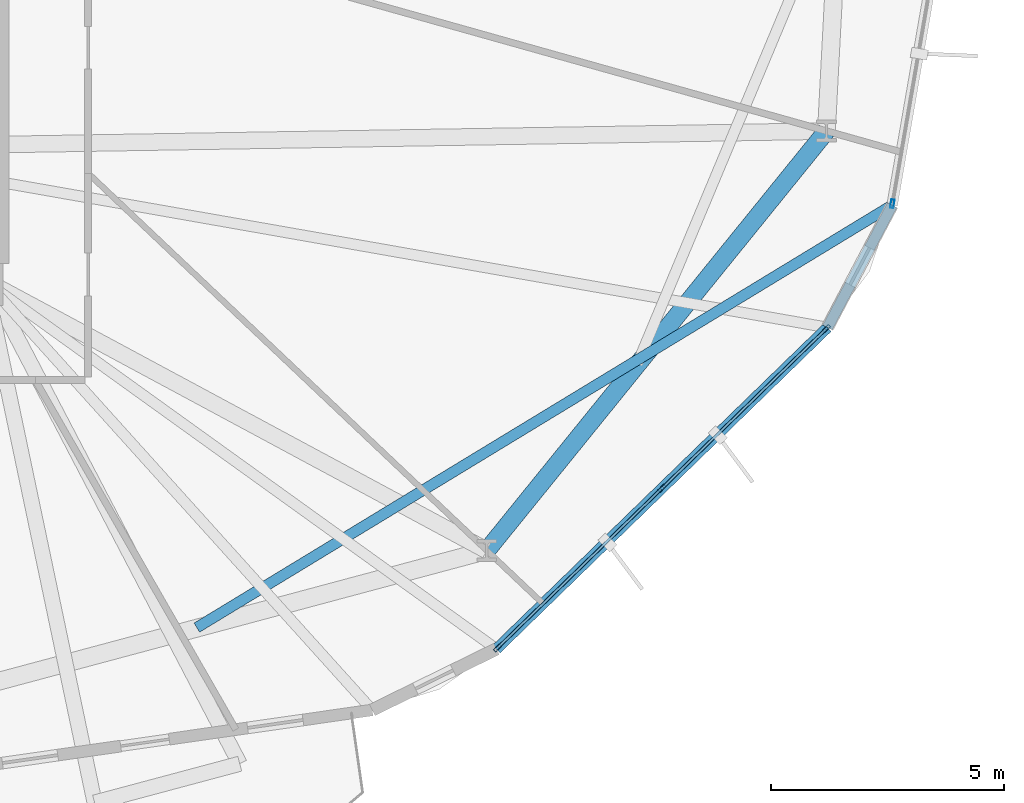
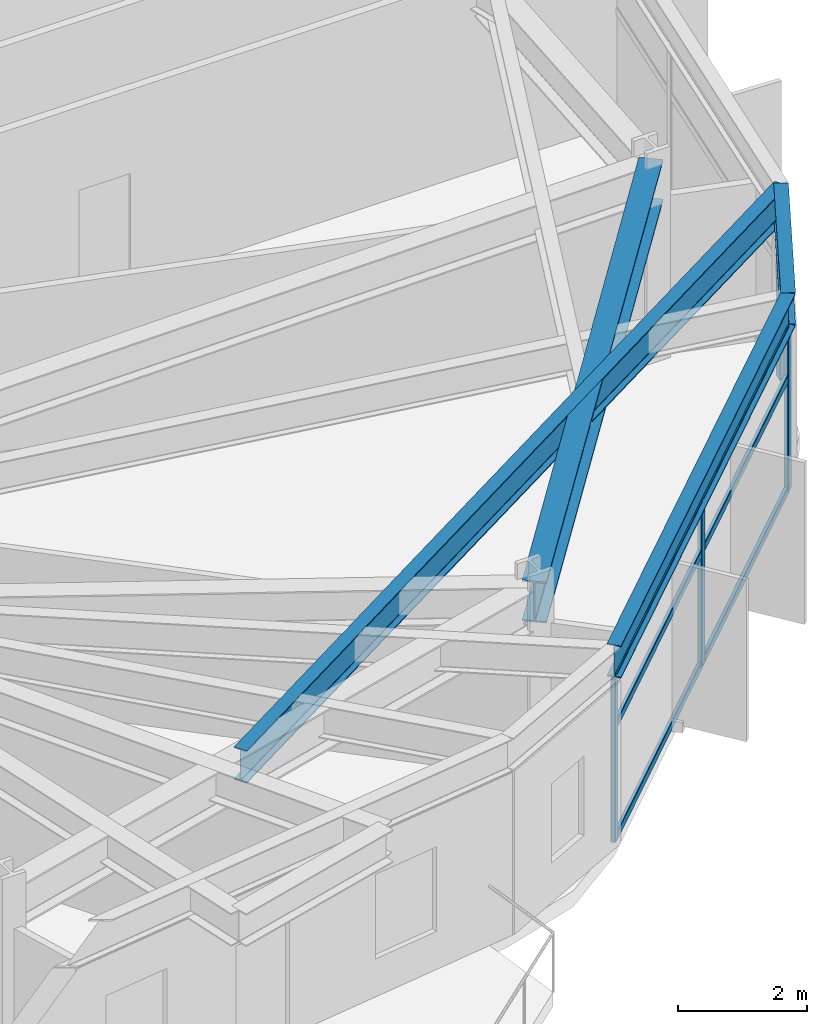
# One storey, part 8 of 22: 10 members, 4 beams, 2 elements without a shape of their own.
"""IFC4 building model written with IfcOpenShell, lengths in metres."""

import ifcopenshell
import ifcopenshell.guid

model = None  # the IFC model being written
_history = None  # IfcOwnerHistory: only IFC2X3 demands one
_inside = {}  # id of a spatial element -> (the spatial element, [elements in it])
_under = {}  # id of a project, library or spatial element -> (it, [spatial elements below it])
_declared = {}  # id of a project -> (the project, [libraries it declares])
_typed = {}  # id of a type object -> (the type object, [elements of that type])
_made_of = {}  # id of a material, layer set ... -> (it, [elements and type objects made of it])


def new_model(schema):
    """Start an empty IFC model of exactly this schema.

    Asked for "IFC4X3", IfcOpenShell would pick the latest addendum, in which some entities
    have other attributes; the version numbers below select the first issue.
    IFC2X3 requires an IfcOwnerHistory on every rooted entity: one is made here for all.
    """
    global model, _history
    if schema == "IFC4X3":
        model = ifcopenshell.file(schema_version=(4, 3, 0, 0))
    else:
        model = ifcopenshell.file(schema=schema)
    _inside.clear()
    _under.clear()
    _declared.clear()
    _typed.clear()
    _made_of.clear()
    _history = None
    if model.schema == "IFC2X3":
        org = make("IfcOrganization", Name="unknown")
        user = make(
            "IfcPersonAndOrganization",
            ThePerson=make("IfcPerson", FamilyName="unknown"),
            TheOrganization=org,
        )
        app = make(
            "IfcApplication",
            ApplicationDeveloper=org,
            Version="unknown",
            ApplicationFullName="unknown",
            ApplicationIdentifier="unknown",
        )
        _history = make(
            "IfcOwnerHistory",
            OwningUser=user,
            OwningApplication=app,
            ChangeAction="ADDED",
            CreationDate=0,
        )
    return model


def make(cls, **values):
    """One entity of the class cls with the attributes given. An attribute that is None is left unset."""
    return model.create_entity(
        cls, **{name: value for name, value in values.items() if value is not None}
    )


def rooted(cls, **values):
    """An entity with a GlobalId (a new one), such as an element, a storey or a relation."""
    return make(cls, GlobalId=ifcopenshell.guid.new(), OwnerHistory=_history, **values)


def si_unit(unit_type, name, prefix=None):
    """IfcSIUnit, for example si_unit("LENGTHUNIT", "METRE", prefix="MILLI")."""
    return make("IfcSIUnit", UnitType=unit_type, Prefix=prefix, Name=name)


def assignment(units):
    """IfcUnitAssignment: the units of a project."""
    return None if units is None else make("IfcUnitAssignment", Units=units)


def point(xyz):
    """IfcCartesianPoint."""
    return None if xyz is None else make("IfcCartesianPoint", Coordinates=xyz)


def direction(xyz):
    """IfcDirection."""
    return None if xyz is None else make("IfcDirection", DirectionRatios=xyz)


def frame(location, z_axis=None, x_axis=None):
    """IfcAxis2Placement3D, a coordinate frame: its origin and axes. An axis left out is left unset."""
    return make(
        "IfcAxis2Placement3D",
        Location=point(location),
        Axis=direction(z_axis),
        RefDirection=direction(x_axis),
    )


def frame_2d(location, x_axis=None):
    """IfcAxis2Placement2D, a coordinate frame in the plane: its origin and x axis."""
    return make(
        "IfcAxis2Placement2D", Location=point(location), RefDirection=direction(x_axis)
    )


def origin():
    """The frame at (0, 0, 0) with its axes left unset."""
    return frame((0.0, 0.0, 0.0))


def origin_2d():
    """The frame at (0, 0) in the plane with its x axis left unset."""
    return frame_2d((0.0, 0.0))


def place(relative_to, where):
    """IfcLocalPlacement: puts the frame where relative to a parent placement (None: the world)."""
    return make(
        "IfcLocalPlacement", PlacementRelTo=relative_to, RelativePlacement=where
    )


def context(
    kind, dimensions, precision=None, world=None, true_north=None, identifier=None
):
    """IfcGeometricRepresentationContext, for example the 3D "Model" context."""
    return make(
        "IfcGeometricRepresentationContext",
        ContextIdentifier=identifier,
        ContextType=kind,
        CoordinateSpaceDimension=dimensions,
        Precision=precision,
        WorldCoordinateSystem=world,
        TrueNorth=true_north,
    )


def subcontext(parent, identifier, kind, view, scale=None):
    """IfcGeometricRepresentationSubContext, for example "Body" below "Model"."""
    return make(
        "IfcGeometricRepresentationSubContext",
        ContextIdentifier=identifier,
        ContextType=kind,
        ParentContext=parent,
        TargetScale=scale,
        TargetView=view,
    )


def project(units=None, contexts=None):
    """IfcProject with its units and contexts."""
    return rooted(
        "IfcProject",
        Name="project",
        RepresentationContexts=contexts,
        UnitsInContext=assignment(units),
    )


def spatial(cls, under=None, at=None, **own):
    """A site, building, storey or space (cls), placed at a placement, below another one or the project."""
    s = rooted(cls, ObjectPlacement=at, **own)
    if under is not None:
        _under.setdefault(under.id(), (under, []))[1].append(s)
    return s


def profile(cls, at=None, kind="AREA", **sizes):
    """A parametric profile (cls). Its sizes go by their IFC names, for example OverallWidth=200.0."""
    return make(cls, ProfileType=kind, Position=at, **sizes)


def hollow_rectangle(**sizes):
    """IfcRectangleHollowProfileDef."""
    return profile("IfcRectangleHollowProfileDef", **sizes)


def i_section(**sizes):
    """IfcIShapeProfileDef."""
    return profile("IfcIShapeProfileDef", **sizes)


def extrude(swept, where, along, depth):
    """IfcExtrudedAreaSolid: the profile swept, set in the frame where, extruded along a direction by depth."""
    return make(
        "IfcExtrudedAreaSolid",
        SweptArea=swept,
        Position=where,
        ExtrudedDirection=direction(along),
        Depth=depth,
    )


def shape(context_of_items, identifier, shape_type, items):
    """IfcShapeRepresentation: the items that make up one representation, for example the "Body"."""
    return make(
        "IfcShapeRepresentation",
        ContextOfItems=context_of_items,
        RepresentationIdentifier=identifier,
        RepresentationType=shape_type,
        Items=items,
    )


def material(Name=None, Category=None):
    """IfcMaterial."""
    return make("IfcMaterial", Name=Name, Category=Category)


def layer(
    of_material, thickness, ventilated=None, Name=None, Category=None, Priority=None
):
    """IfcMaterialLayer: one layer of a wall or slab, of a material (None: an air gap)."""
    return make(
        "IfcMaterialLayer",
        Material=of_material,
        LayerThickness=thickness,
        IsVentilated=ventilated,
        Name=Name,
        Category=Category,
        Priority=Priority,
    )


def layer_set(layers, Name=None):
    """IfcMaterialLayerSet."""
    return make("IfcMaterialLayerSet", MaterialLayers=layers, LayerSetName=Name)


def material_profile(
    of_material, cross_section, Name=None, Category=None, Priority=None
):
    """IfcMaterialProfile: a cross section and its material."""
    return make(
        "IfcMaterialProfile",
        Name=Name,
        Material=of_material,
        Profile=cross_section,
        Priority=Priority,
        Category=Category,
    )


def profile_set(profiles, Name=None, composite=None):
    """IfcMaterialProfileSet."""
    return make(
        "IfcMaterialProfileSet",
        Name=Name,
        MaterialProfiles=profiles,
        CompositeProfile=composite,
    )


def made_of(thing, what):
    """Note that an element or type object is made of a material, layer set ...; save() writes the relation."""
    if what is not None:
        _made_of.setdefault(what.id(), (what, []))[1].append(thing)
    return thing


def type_object(cls, material=None, **own):
    """A type object (cls), such as IfcWallType, which elements share."""
    return made_of(rooted(cls, **own), material)


def element(
    cls,
    number,
    at=None,
    inside=None,
    cuts=None,
    type_object=None,
    material=None,
    context=None,
    identifier="Body",
    shape_type=None,
    held_by="IfcProductDefinitionShape",
    body=None,
    shapes=None,
    **own,
):
    """One element of the class cls, such as IfcWall. Its Tag is "e" and its number.

    at: its placement. inside: the storey or other place that contains it. cuts: it is an
    opening in that element (IfcRelVoidsElement). A single representation is given by context,
    identifier, shape_type and body (its items); several are given by shapes. held_by: the class
    of the entity that holds the representations. save() writes the other relations.
    """
    e = rooted(cls, Tag="e%d" % number, ObjectPlacement=at, **own)
    if body is not None:
        shapes = [shape(context, identifier, shape_type, body)]
    if shapes is not None:
        e.Representation = make(held_by, Representations=shapes)
    if inside is not None:
        _inside.setdefault(inside.id(), (inside, []))[1].append(e)
    if cuts is not None:
        rooted(
            "IfcRelVoidsElement", RelatingBuildingElement=cuts, RelatedOpeningElement=e
        )
    if type_object is not None:
        _typed.setdefault(type_object.id(), (type_object, []))[1].append(e)
    return made_of(e, material)


def aggregate(whole, parts):
    """IfcRelAggregates: a whole, such as a stair, and the parts it consists of."""
    return rooted("IfcRelAggregates", RelatingObject=whole, RelatedObjects=parts)


def save(model, path):
    """Write the relations noted so far, then the file.

    IfcRelAggregates (storeys below a building ...), IfcRelContainedInSpatialStructure (elements
    in a storey), IfcRelDefinesByType, IfcRelAssociatesMaterial and IfcRelDeclares: one each for
    every whole, place, type object, material and project.
    """
    for whole, parts in _under.values():
        aggregate(whole, parts)
    for where, things in _inside.values():
        rooted(
            "IfcRelContainedInSpatialStructure",
            RelatedElements=things,
            RelatingStructure=where,
        )
    for kind, things in _typed.values():
        rooted("IfcRelDefinesByType", RelatedObjects=things, RelatingType=kind)
    for what, things in _made_of.values():
        rooted("IfcRelAssociatesMaterial", RelatedObjects=things, RelatingMaterial=what)
    for by, libraries in _declared.values():
        rooted("IfcRelDeclares", RelatingContext=by, RelatedDefinitions=libraries)
    model.write(path)


model = new_model("IFC4")

# Units and contexts
model_context = context("Model", 3, precision=1e-05, world=origin(), true_north=direction((0.0, 1.0)))
body_context = subcontext(model_context, "Body", "Model", "MODEL_VIEW")
ifc_project = project(units=[si_unit("LENGTHUNIT", "METRE"), si_unit("AREAUNIT", "SQUARE_METRE"), si_unit("VOLUMEUNIT", "CUBIC_METRE"), si_unit("PLANEANGLEUNIT", "RADIAN"), si_unit("MASSUNIT", "GRAM", prefix="KILO")], contexts=[model_context])

# Site, building, storey
site_placement = place(None, origin())
site = spatial("IfcSite", under=ifc_project, at=site_placement, CompositionType="ELEMENT")
building_placement = place(site_placement, origin())
building = spatial("IfcBuilding", under=site, at=building_placement, Name="Soratama Intermodal Tower", CompositionType="ELEMENT")
storey_placement = place(building_placement, frame((0.0, 0.0, 58.60009765625)))
storey = spatial("IfcBuildingStorey", under=building, at=storey_placement, Name="L13", CompositionType="ELEMENT", Elevation=58.60009765625)

# Beams
ifc_material_1 = material(Name="Structural steel ASTM A992 Grade 50", Category="steel")
ifc_material_profile_1 = material_profile(ifc_material_1, i_section(OverallWidth=0.382080078125, OverallDepth=0.779052734375, WebThickness=0.01806640625, FlangeThickness=0.030029296875, FilletRadius=0.01806640625, at=origin_2d()), Name="W30X191")
ifc_profile_set_1 = profile_set([ifc_material_profile_1], Name="Structural steel ASTM A992 Grade 50")
beam_type_1 = type_object("IfcBeamType", Name="BM-RING-W30X191", PredefinedType="BEAM", material=ifc_profile_set_1)
beam_1_placement = place(storey_placement, frame((55.196044921875, 9.300048828125, 3.310302734375), z_axis=(0.629334198857, 0.777134779912, 0.0), x_axis=(-0.777134779912, 0.629334198857, 0.0)))
element("IfcBeam", 1, at=beam_1_placement, inside=storey, type_object=beam_type_1, Name="BM-L13-RING-09", PredefinedType="BEAM", context=body_context, shape_type="SweptSolid", body=[
    extrude(i_section(OverallWidth=0.382080078125, OverallDepth=0.779052734375, WebThickness=0.01806640625, FlangeThickness=0.030029296875, FilletRadius=0.01806640625, at=origin_2d()), origin(), (0.0, 0.0, 1.0), 11.5693359375),
])
ifc_material_2 = material(Name="Structural steel ASTM A992 Grade 50", Category="steel")
ifc_material_profile_2 = material_profile(ifc_material_2, i_section(OverallWidth=0.22900390625, OverallDepth=0.612060546875, WebThickness=0.011962890625, FlangeThickness=0.01953125, FilletRadius=0.012939453125, at=origin_2d()), Name="W24X84")
ifc_profile_set_2 = profile_set([ifc_material_profile_2], Name="Structural steel ASTM A992 Grade 50")
beam_type_2 = type_object("IfcBeamType", Name="BM-SPN-W24X84", PredefinedType="SPANDREL", material=ifc_profile_set_2)
beam_2_placement = place(storey_placement, frame((55.402099609375, 7.18701171875, 3.393798828125), z_axis=(0.717382260668, 0.696679762932, 0.0), x_axis=(-0.696679762932, 0.717382260668, 0.0)))
element("IfcBeam", 2, at=beam_2_placement, inside=storey, type_object=beam_type_2, Name="BS-L13-F09", PredefinedType="SPANDREL", context=body_context, shape_type="SweptSolid", body=[
    extrude(i_section(OverallWidth=0.22900390625, OverallDepth=0.612060546875, WebThickness=0.011962890625, FlangeThickness=0.01953125, FilletRadius=0.012939453125, at=origin_2d()), origin(), (0.0, 0.0, 1.0), 9.894287109375),
])
beam_3_placement = place(storey_placement, frame((62.5, 14.080078125, 3.393798828125), z_axis=(0.467214507924, 0.884143994825, 0.0), x_axis=(-0.884143994825, 0.467214507924, 0.0)))
element("IfcBeam", 3, at=beam_3_placement, inside=storey, type_object=beam_type_2, Name="BS-L13-CRN09", PredefinedType="SPANDREL", context=body_context, shape_type="SweptSolid", body=[
    extrude(i_section(OverallWidth=0.22900390625, OverallDepth=0.612060546875, WebThickness=0.011962890625, FlangeThickness=0.01953125, FilletRadius=0.012939453125, at=origin_2d()), origin(), (0.0, 0.0, 1.0), 2.966552734375),
])
ifc_material_3 = material(Name="Structural steel ASTM A992 Grade 50", Category="steel")
ifc_material_profile_3 = material_profile(ifc_material_3, i_section(OverallWidth=0.22900390625, OverallDepth=0.612060546875, WebThickness=0.011962890625, FlangeThickness=0.01953125, FilletRadius=0.012939453125, at=origin_2d()), Name="W24X84")
ifc_profile_set_3 = profile_set([ifc_material_profile_3], Name="Structural steel ASTM A992 Grade 50")
beam_type_3 = type_object("IfcBeamType", Name="BM-TIE-W24X84", PredefinedType="BEAM", material=ifc_profile_set_3)
beam_4_placement = place(storey_placement, frame((48.97900390625, 7.64599609375, 3.393798828125), z_axis=(0.854629362816, 0.519238531132, 0.0), x_axis=(-0.519238531132, 0.854629362816, 0.0)))
element("IfcBeam", 4, at=beam_4_placement, inside=storey, type_object=beam_type_3, Name="BM-L13-TIE0-10", PredefinedType="BEAM", context=body_context, shape_type="SweptSolid", body=[
    extrude(i_section(OverallWidth=0.22900390625, OverallDepth=0.612060546875, WebThickness=0.011962890625, FlangeThickness=0.01953125, FilletRadius=0.012939453125, at=origin_2d()), origin(), (0.0, 0.0, 1.0), 17.442626953125),
])

# Curtain wall, members
ifc_material_4 = material(Name="Double-glazed aluminium curtain wall", Category="aluminium")
ifc_layer = layer(ifc_material_4, 0.159912109375)
ifc_layer_set = layer_set([ifc_layer], Name="Double-glazed aluminium curtain wall")
curtain_wall_type = type_object("IfcCurtainWallType", Name="CW-SYS-2", PredefinedType="NOTDEFINED", material=ifc_layer_set)
curtain_wall_1_placement = place(storey_placement, origin())
curtain_wall_1 = element("IfcCurtainWall", 5, at=curtain_wall_1_placement, inside=storey, type_object=curtain_wall_type, Name="L13 Faceted Curtain Wall F09", PredefinedType="NOTDEFINED")
ifc_material_5 = material(Name="Anodised aluminium AA 6063-T6", Category="aluminium")
ifc_material_profile_4 = material_profile(ifc_material_5, hollow_rectangle(XDim=0.074951171875, YDim=0.179931640625, WallThickness=0.006103515625, InnerFilletRadius=0.006103515625, OuterFilletRadius=0.011962890625, at=origin_2d()), Name="CWM180X75X6")
ifc_profile_set_4 = profile_set([ifc_material_profile_4], Name="Anodised aluminium AA 6063-T6")
member_type_1 = type_object("IfcMemberType", Name="MT-CWM-2", PredefinedType="MULLION", material=ifc_profile_set_4)
member_1_placement = place(storey_placement, frame((55.423583984375, 7.208251953125, 0.0), z_axis=(0.0, 0.0, 1.0), x_axis=(-0.696666075671, 0.717395552683, 0.0)))
member_1 = element("IfcMember", 6, at=member_1_placement, type_object=member_type_1, Name="CW-2 mullion 1", PredefinedType="MULLION", context=body_context, shape_type="SweptSolid", body=[
    extrude(hollow_rectangle(XDim=0.074951171875, YDim=0.179931640625, WallThickness=0.006103515625, InnerFilletRadius=0.006103515625, OuterFilletRadius=0.011962890625, at=origin_2d()), origin(), (0.0, 0.0, 1.0), 3.078857421875),
])
member_2_placement = place(storey_placement, frame((58.951171875, 10.6337890625, 0.0), z_axis=(0.0, 0.0, 1.0), x_axis=(-0.696666075671, 0.717395552683, 0.0)))
member_2 = element("IfcMember", 7, at=member_2_placement, type_object=member_type_1, Name="CW-2 mullion 2", PredefinedType="MULLION", context=body_context, shape_type="SweptSolid", body=[
    extrude(hollow_rectangle(XDim=0.074951171875, YDim=0.179931640625, WallThickness=0.006103515625, InnerFilletRadius=0.006103515625, OuterFilletRadius=0.011962890625, at=origin_2d()), origin(), (0.0, 0.0, 1.0), 3.078857421875),
])
member_3_placement = place(storey_placement, frame((62.478515625, 14.059326171875, 0.0), z_axis=(0.0, 0.0, 1.0), x_axis=(-0.696666075671, 0.717395552683, 0.0)))
member_3 = element("IfcMember", 8, at=member_3_placement, type_object=member_type_1, Name="CW-2 mullion 3", PredefinedType="MULLION", context=body_context, shape_type="SweptSolid", body=[
    extrude(hollow_rectangle(XDim=0.074951171875, YDim=0.179931640625, WallThickness=0.006103515625, InnerFilletRadius=0.006103515625, OuterFilletRadius=0.011962890625, at=origin_2d()), origin(), (0.0, 0.0, 1.0), 3.078857421875),
])

# Curtain wall, member
curtain_wall_2_placement = place(storey_placement, origin())
curtain_wall_2 = element("IfcCurtainWall", 9, at=curtain_wall_2_placement, inside=storey, type_object=curtain_wall_type, Name="L13 Faceted Curtain Wall F10", PredefinedType="NOTDEFINED")
member_4_placement = place(storey_placement, frame((63.890625, 16.73291015625, 0.0), z_axis=(0.0, 0.0, 1.0), x_axis=(-0.985288579812, 0.170898842866, 0.0)))
member_4 = element("IfcMember", 10, at=member_4_placement, type_object=member_type_1, Name="CW-2 mullion 1", PredefinedType="MULLION", context=body_context, shape_type="SweptSolid", body=[
    extrude(hollow_rectangle(XDim=0.074951171875, YDim=0.179931640625, WallThickness=0.006103515625, InnerFilletRadius=0.006103515625, OuterFilletRadius=0.011962890625, at=origin_2d()), origin(), (0.0, 0.0, 1.0), 3.078857421875),
])
aggregate(curtain_wall_2, [member_4])

# Member
ifc_material_6 = material(Name="Anodised aluminium AA 6063-T6", Category="aluminium")
ifc_material_profile_5 = material_profile(ifc_material_6, hollow_rectangle(XDim=0.06494140625, YDim=0.14990234375, WallThickness=0.0048828125, InnerFilletRadius=0.0048828125, OuterFilletRadius=0.010009765625, at=origin_2d()), Name="CWT150X65X5")
ifc_profile_set_5 = profile_set([ifc_material_profile_5], Name="Anodised aluminium AA 6063-T6")
member_type_2 = type_object("IfcMemberType", Name="TT-CWT-1", PredefinedType="USERDEFINED", material=ifc_profile_set_5)
member_5_placement = place(storey_placement, frame((55.445068359375, 7.22900390625, 0.02978515625), z_axis=(0.717409998297, 0.696651199916, 0.0), x_axis=(-0.696651199916, 0.717409998297, 0.0)))
member_5 = element("IfcMember", 11, at=member_5_placement, type_object=member_type_2, Name="CW-2 transom 1.1", ObjectType="TRANSOM", PredefinedType="USERDEFINED", context=body_context, shape_type="SweptSolid", body=[
    extrude(hollow_rectangle(XDim=0.06494140625, YDim=0.14990234375, WallThickness=0.0048828125, InnerFilletRadius=0.0048828125, OuterFilletRadius=0.010009765625, at=origin_2d()), origin(), (0.0, 0.0, 1.0), 4.857177734375),
])

member_6_placement = place(storey_placement, frame((55.445068359375, 7.22900390625, 2.14990234375), z_axis=(0.717409998297, 0.696651199916, 0.0), x_axis=(-0.696651199916, 0.717409998297, 0.0)))
member_6 = element("IfcMember", 12, at=member_6_placement, type_object=member_type_2, Name="CW-2 transom 1.2", ObjectType="TRANSOM", PredefinedType="USERDEFINED", context=body_context, shape_type="SweptSolid", body=[
    extrude(hollow_rectangle(XDim=0.06494140625, YDim=0.14990234375, WallThickness=0.0048828125, InnerFilletRadius=0.0048828125, OuterFilletRadius=0.010009765625, at=origin_2d()), origin(), (0.0, 0.0, 1.0), 4.857177734375),
])

member_7_placement = place(storey_placement, frame((55.445068359375, 7.22900390625, 3.048828125), z_axis=(0.717409998297, 0.696651199916, 0.0), x_axis=(-0.696651199916, 0.717409998297, 0.0)))
member_7 = element("IfcMember", 13, at=member_7_placement, type_object=member_type_2, Name="CW-2 transom 1.3", ObjectType="TRANSOM", PredefinedType="USERDEFINED", context=body_context, shape_type="SweptSolid", body=[
    extrude(hollow_rectangle(XDim=0.06494140625, YDim=0.14990234375, WallThickness=0.0048828125, InnerFilletRadius=0.0048828125, OuterFilletRadius=0.010009765625, at=origin_2d()), origin(), (0.0, 0.0, 1.0), 4.857177734375),
])

member_8_placement = place(storey_placement, frame((58.97265625, 10.654541015625, 0.02978515625), z_axis=(0.717385602982, 0.696676321281, 0.0), x_axis=(-0.696676321281, 0.717385602982, 0.0)))
member_8 = element("IfcMember", 14, at=member_8_placement, type_object=member_type_2, Name="CW-2 transom 2.1", ObjectType="TRANSOM", PredefinedType="USERDEFINED", context=body_context, shape_type="SweptSolid", body=[
    extrude(hollow_rectangle(XDim=0.06494140625, YDim=0.14990234375, WallThickness=0.0048828125, InnerFilletRadius=0.0048828125, OuterFilletRadius=0.010009765625, at=origin_2d()), origin(), (0.0, 0.0, 1.0), 4.85693359375),
])

member_9_placement = place(storey_placement, frame((58.97265625, 10.654541015625, 2.14990234375), z_axis=(0.717385602982, 0.696676321281, 0.0), x_axis=(-0.696676321281, 0.717385602982, 0.0)))
member_9 = element("IfcMember", 15, at=member_9_placement, type_object=member_type_2, Name="CW-2 transom 2.2", ObjectType="TRANSOM", PredefinedType="USERDEFINED", context=body_context, shape_type="SweptSolid", body=[
    extrude(hollow_rectangle(XDim=0.06494140625, YDim=0.14990234375, WallThickness=0.0048828125, InnerFilletRadius=0.0048828125, OuterFilletRadius=0.010009765625, at=origin_2d()), origin(), (0.0, 0.0, 1.0), 4.85693359375),
])

member_10_placement = place(storey_placement, frame((58.97265625, 10.654541015625, 3.048828125), z_axis=(0.717385602982, 0.696676321281, 0.0), x_axis=(-0.696676321281, 0.717385602982, 0.0)))
member_10 = element("IfcMember", 16, at=member_10_placement, type_object=member_type_2, Name="CW-2 transom 2.3", ObjectType="TRANSOM", PredefinedType="USERDEFINED", context=body_context, shape_type="SweptSolid", body=[
    extrude(hollow_rectangle(XDim=0.06494140625, YDim=0.14990234375, WallThickness=0.0048828125, InnerFilletRadius=0.0048828125, OuterFilletRadius=0.010009765625, at=origin_2d()), origin(), (0.0, 0.0, 1.0), 4.85693359375),
])

aggregate(curtain_wall_1, [member_1, member_2, member_3, member_5, member_6, member_7, member_8, member_9, member_10])

save(model, "model.ifc")
